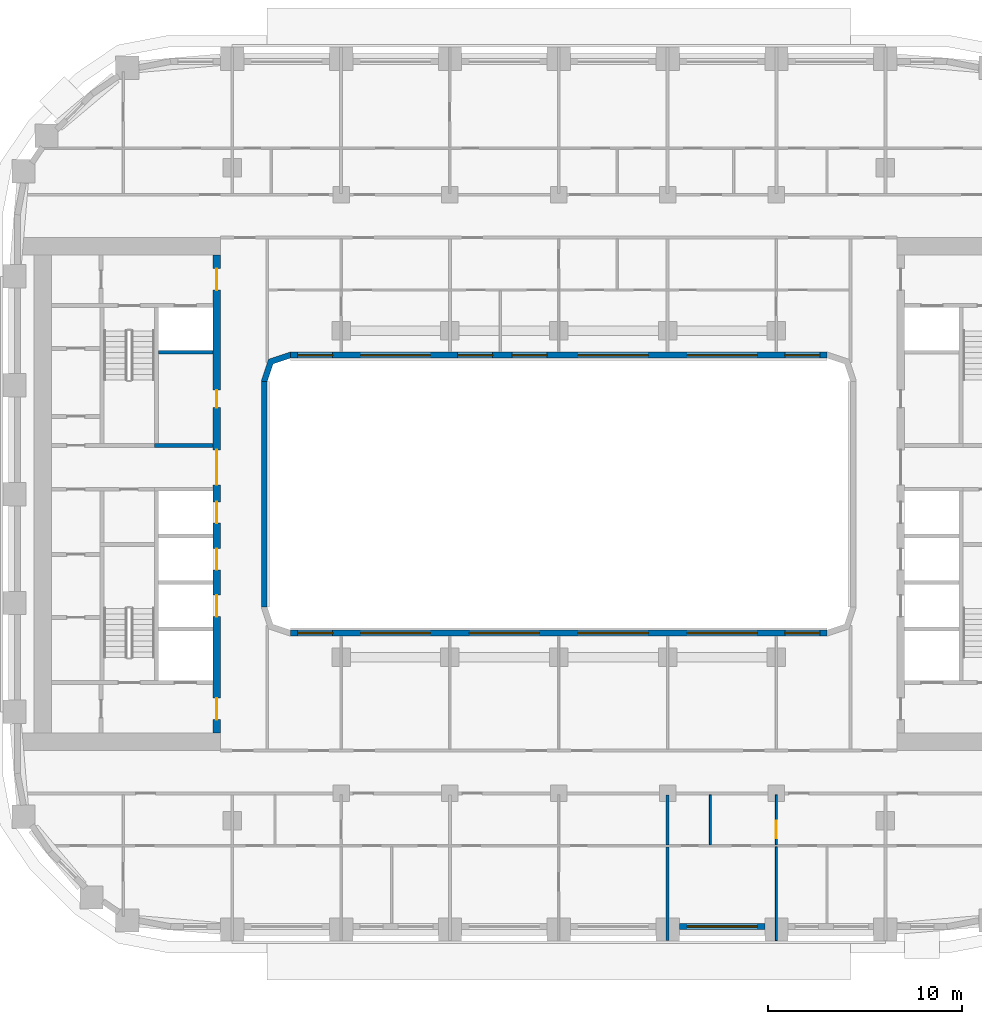
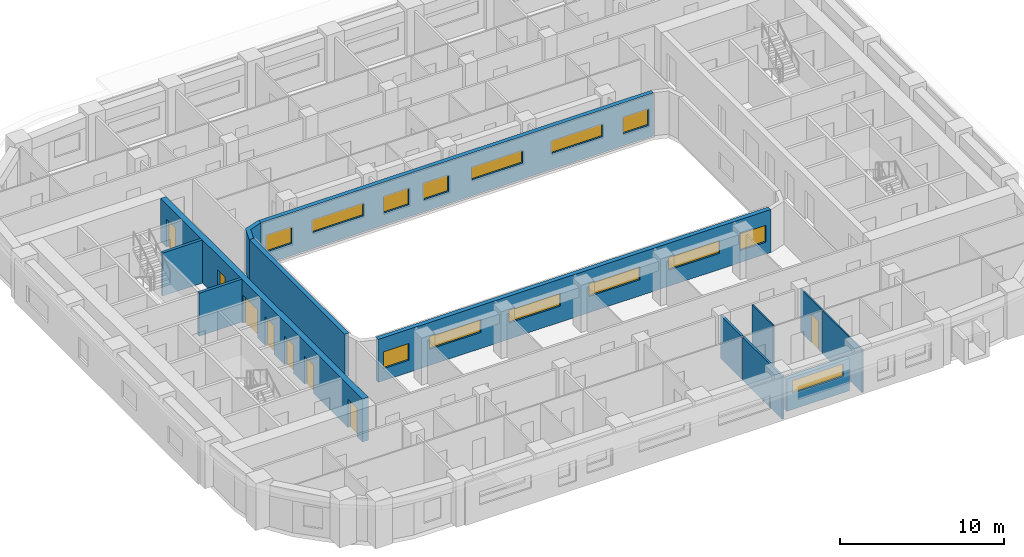
# One storey, part 5 of 22: 14 windows, 13 walls, 8 doors, 22 openings.
"""IFC4 building model written with IfcOpenShell, lengths in metres."""

from ifc_helpers import new_model, si_unit, direction, frame, frame_2d, origin, place, context, subcontext, project, spatial, polyline, rectangle, outline, extrude, material, layer, layer_set, type_object, element, fill, save


model = new_model("IFC4")

# Units and contexts
model_context = context("Model", 3, precision=1e-05, world=origin(), true_north=direction((0.0, 1.0)))
body_context = subcontext(model_context, "Body", "Model", "MODEL_VIEW")
ifc_project = project(units=[si_unit("LENGTHUNIT", "METRE"), si_unit("AREAUNIT", "SQUARE_METRE"), si_unit("VOLUMEUNIT", "CUBIC_METRE"), si_unit("PLANEANGLEUNIT", "RADIAN"), si_unit("MASSUNIT", "GRAM", prefix="KILO")], contexts=[model_context])

# Site, building, storey
site_placement = place(None, origin())
site = spatial("IfcSite", under=ifc_project, at=site_placement, CompositionType="ELEMENT")
building_placement = place(site_placement, origin())
building = spatial("IfcBuilding", under=site, at=building_placement, Name="Kiln Ring Residences", CompositionType="ELEMENT")
storey_placement = place(building_placement, frame((0.0, 0.0, 111.300048828125)))
storey = spatial("IfcBuildingStorey", under=building, at=storey_placement, Name="L28", CompositionType="ELEMENT", Elevation=111.300048828125)

# Walls
ifc_material_1 = material(Name="Gypsum shaft wall system")
ifc_layer_1 = layer(ifc_material_1, 0.199951171875)
ifc_layer_set_1 = layer_set([ifc_layer_1], Name="CORE-SHAFT-WALL-200")
wall_type_1 = type_object("IfcWallType", Name="CORE-SHAFT-WALL-200", PredefinedType="PARTITIONING", material=ifc_layer_set_1)
wall_1_placement = place(storey_placement, frame((-17.800048828125, 2.5, 0.0), z_axis=(0.0, 0.0, 1.0), x_axis=(-1.0, 0.0, 0.0)))
element("IfcWall", 1, at=wall_1_placement, inside=storey, type_object=wall_type_1, Name="Core partition west L28 13", PredefinedType="PARTITIONING", context=body_context, shape_type="SweptSolid", body=[
    extrude(rectangle(XDim=3.0, YDim=0.199951171875, at=frame_2d((1.5, 0.0))), origin(), (0.0, 0.0, 1.0), 3.199951171875),
])
wall_2_placement = place(storey_placement, frame((-17.800048828125, 7.300048828125, 0.0), z_axis=(0.0, 0.0, 1.0), x_axis=(-1.0, 0.0, 0.0)))
element("IfcWall", 2, at=wall_2_placement, inside=storey, type_object=wall_type_1, Name="Core partition west L28 14", PredefinedType="PARTITIONING", context=body_context, shape_type="SweptSolid", body=[
    extrude(rectangle(XDim=2.800048828125, YDim=0.199951171875, at=frame_2d((1.39990234375, 0.0))), origin(), (0.0, 0.0, 1.0), 3.199951171875),
])

# Wall, openings, doors
ifc_material_2 = material(Name="Concrete C60/75", Category="concrete")
ifc_layer_2 = layer(ifc_material_2, 0.39990234375)
ifc_layer_set_2 = layer_set([ifc_layer_2], Name="CORE-WALL-RC400")
wall_type_2 = type_object("IfcWallType", Name="CORE-WALL-RC400", PredefinedType="SHEAR", material=ifc_layer_set_2)
wall_3_placement = place(storey_placement, frame((-17.60009765625, -12.300048828125, 0.0), z_axis=(0.0, 0.0, 1.0), x_axis=(0.0, 1.0, 0.0)))
wall_3 = element("IfcWall", 3, at=wall_3_placement, inside=storey, type_object=wall_type_2, Name="Core wall west L28 6", PredefinedType="SHEAR", context=body_context, shape_type="SweptSolid", body=[
    extrude(rectangle(XDim=24.60009765625, YDim=0.39990234375, at=frame_2d((12.300048828125, 0.0))), origin(), (0.0, 0.0, 1.0), 3.199951171875),
])
opening_1_placement = place(wall_3_placement, frame((6.0, 0.0, 0.0)))
opening_1 = element("IfcOpeningElement", 4, at=opening_1_placement, cuts=wall_3, Name="Opening L28-CW02", PredefinedType="OPENING", context=body_context, shape_type="SweptSolid", body=[
    extrude(rectangle(XDim=1.10009765625, YDim=2.10009765625, at=frame_2d((0.550048828125, 1.050048828125))), frame((0.0, 0.2099609375, 0.0), z_axis=(0.0, -1.0, 0.0), x_axis=(1.0, 0.0, 0.0)), (0.0, 0.0, 1.0), 0.419921875),
])
opening_2_placement = place(wall_3_placement, frame((8.39990234375, 0.0, 0.0)))
opening_2 = element("IfcOpeningElement", 5, at=opening_2_placement, cuts=wall_3, Name="Opening L28-CW03", PredefinedType="OPENING", context=body_context, shape_type="SweptSolid", body=[
    extrude(rectangle(XDim=1.10009765625, YDim=2.10009765625, at=frame_2d((0.550048828125, 1.050048828125))), frame((0.0, 0.2099609375, 0.0), z_axis=(0.0, -1.0, 0.0), x_axis=(1.0, 0.0, 0.0)), (0.0, 0.0, 1.0), 0.419921875),
])
opening_3_placement = place(wall_3_placement, frame((10.800048828125, 0.0, 0.0)))
opening_3 = element("IfcOpeningElement", 6, at=opening_3_placement, cuts=wall_3, Name="Opening L28-CW04", PredefinedType="OPENING", context=body_context, shape_type="SweptSolid", body=[
    extrude(rectangle(XDim=1.10009765625, YDim=2.10009765625, at=frame_2d((0.550048828125, 1.050048828125))), frame((0.0, 0.2099609375, 0.0), z_axis=(0.0, -1.0, 0.0), x_axis=(1.0, 0.0, 0.0)), (0.0, 0.0, 1.0), 0.419921875),
])
opening_4_placement = place(wall_3_placement, frame((16.75, 0.0, 0.0)))
opening_4 = element("IfcOpeningElement", 7, at=opening_4_placement, cuts=wall_3, Name="Opening L28-CW05", PredefinedType="OPENING", context=body_context, shape_type="SweptSolid", body=[
    extrude(rectangle(XDim=0.89990234375, YDim=2.10009765625, at=frame_2d((0.449951171875, 1.050048828125))), frame((0.0, 0.2099609375, 0.0), z_axis=(0.0, -1.0, 0.0), x_axis=(1.0, 0.0, 0.0)), (0.0, 0.0, 1.0), 0.419921875),
])
opening_5_placement = place(wall_3_placement, frame((22.800048828125, 0.0, 0.0)))
opening_5 = element("IfcOpeningElement", 8, at=opening_5_placement, cuts=wall_3, Name="Opening L28-CW07", PredefinedType="OPENING", context=body_context, shape_type="SweptSolid", body=[
    extrude(rectangle(XDim=1.10009765625, YDim=2.10009765625, at=frame_2d((0.550048828125, 1.050048828125))), frame((0.0, 0.2099609375, 0.0), z_axis=(0.0, -1.0, 0.0), x_axis=(1.0, 0.0, 0.0)), (0.0, 0.0, 1.0), 0.419921875),
])
opening_6_placement = place(wall_3_placement, frame((0.699951171875, 0.0, 0.0)))
opening_6 = element("IfcOpeningElement", 9, at=opening_6_placement, cuts=wall_3, Name="Opening L28-CW08", PredefinedType="OPENING", context=body_context, shape_type="SweptSolid", body=[
    extrude(rectangle(XDim=1.10009765625, YDim=2.10009765625, at=frame_2d((0.550048828125, 1.050048828125))), frame((0.0, 0.2099609375, 0.0), z_axis=(0.0, -1.0, 0.0), x_axis=(1.0, 0.0, 0.0)), (0.0, 0.0, 1.0), 0.419921875),
])
opening_7_placement = place(wall_3_placement, frame((12.77490234375, 0.0, 0.0)))
opening_7 = element("IfcOpeningElement", 10, at=opening_7_placement, cuts=wall_3, Name="Opening L28-CW13", PredefinedType="OPENING", context=body_context, shape_type="SweptSolid", body=[
    extrude(rectangle(XDim=1.800048828125, YDim=2.10009765625, at=frame_2d((0.89990234375, 1.050048828125))), frame((0.0, 0.2099609375, 0.0), z_axis=(0.0, -1.0, 0.0), x_axis=(1.0, 0.0, 0.0)), (0.0, 0.0, 1.0), 0.419921875),
])
ifc_material_3 = material(Name="Steel door leaf", Category="steel")
door_type_1 = type_object("IfcDoorType", Name="CORE-DOOR-LD", OperationType="DOUBLE_DOOR_SLIDING", PredefinedType="DOOR", material=ifc_material_3)
door_1_placement = place(opening_1_placement, origin())
door_1 = element("IfcDoor", 11, at=door_1_placement, inside=storey, type_object=door_type_1, Name="LD W-L1 L28-CW02", OperationType="DOUBLE_DOOR_SLIDING", OverallHeight=2.10009765625, OverallWidth=1.10009765625, PredefinedType="DOOR", context=body_context, shape_type="SweptSolid", body=[
    extrude(rectangle(XDim=1.10009765625, YDim=2.10009765625, at=frame_2d((0.550048828125, 1.050048828125))), frame((0.0, 0.02490234375, 0.0), z_axis=(0.0, -1.0, 0.0), x_axis=(1.0, 0.0, 0.0)), (0.0, 0.0, 1.0), 0.050048828125),
])
fill(opening_1, door_1)
door_2_placement = place(opening_2_placement, origin())
door_2 = element("IfcDoor", 12, at=door_2_placement, inside=storey, type_object=door_type_1, Name="LD W-L2 L28-CW03", OperationType="DOUBLE_DOOR_SLIDING", OverallHeight=2.10009765625, OverallWidth=1.10009765625, PredefinedType="DOOR", context=body_context, shape_type="SweptSolid", body=[
    extrude(rectangle(XDim=1.10009765625, YDim=2.10009765625, at=frame_2d((0.550048828125, 1.050048828125))), frame((0.0, 0.02490234375, 0.0), z_axis=(0.0, -1.0, 0.0), x_axis=(1.0, 0.0, 0.0)), (0.0, 0.0, 1.0), 0.050048828125),
])
fill(opening_2, door_2)
door_3_placement = place(opening_3_placement, origin())
door_3 = element("IfcDoor", 13, at=door_3_placement, inside=storey, type_object=door_type_1, Name="LD W-L3 L28-CW04", OperationType="DOUBLE_DOOR_SLIDING", OverallHeight=2.10009765625, OverallWidth=1.10009765625, PredefinedType="DOOR", context=body_context, shape_type="SweptSolid", body=[
    extrude(rectangle(XDim=1.10009765625, YDim=2.10009765625, at=frame_2d((0.550048828125, 1.050048828125))), frame((0.0, 0.02490234375, 0.0), z_axis=(0.0, -1.0, 0.0), x_axis=(1.0, 0.0, 0.0)), (0.0, 0.0, 1.0), 0.050048828125),
])
fill(opening_3, door_3)
ifc_material_4 = material(Name="Steel door leaf", Category="steel")
door_type_2 = type_object("IfcDoorType", Name="CORE-DOOR-LOBBY", OperationType="SINGLE_SWING_LEFT", PredefinedType="DOOR", material=ifc_material_4)
door_4_placement = place(opening_5_placement, origin())
door_4 = element("IfcDoor", 14, at=door_4_placement, inside=storey, type_object=door_type_2, Name="FFL L28-CW07", OperationType="SINGLE_SWING_RIGHT", OverallHeight=2.10009765625, OverallWidth=1.10009765625, PredefinedType="DOOR", context=body_context, shape_type="SweptSolid", body=[
    extrude(rectangle(XDim=1.10009765625, YDim=2.10009765625, at=frame_2d((0.550048828125, 1.050048828125))), frame((0.0, 0.02490234375, 0.0), z_axis=(0.0, -1.0, 0.0), x_axis=(1.0, 0.0, 0.0)), (0.0, 0.0, 1.0), 0.050048828125),
])
fill(opening_5, door_4)
door_5_placement = place(opening_6_placement, origin())
door_5 = element("IfcDoor", 15, at=door_5_placement, inside=storey, type_object=door_type_2, Name="SVL L28-CW08", OperationType="SINGLE_SWING_LEFT", OverallHeight=2.10009765625, OverallWidth=1.10009765625, PredefinedType="DOOR", context=body_context, shape_type="SweptSolid", body=[
    extrude(rectangle(XDim=1.10009765625, YDim=2.10009765625, at=frame_2d((0.550048828125, 1.050048828125))), frame((0.0, 0.02490234375, 0.0), z_axis=(0.0, -1.0, 0.0), x_axis=(1.0, 0.0, 0.0)), (0.0, 0.0, 1.0), 0.050048828125),
])
fill(opening_6, door_5)
ifc_material_5 = material(Name="Steel door leaf", Category="steel")
door_type_3 = type_object("IfcDoorType", Name="CORE-DOOR-PASS", OperationType="DOUBLE_DOOR_SINGLE_SWING", PredefinedType="DOOR", material=ifc_material_5)
door_6_placement = place(opening_7_placement, origin())
door_6 = element("IfcDoor", 16, at=door_6_placement, inside=storey, type_object=door_type_3, Name="Core passage L28-CW13", OperationType="DOUBLE_DOOR_SINGLE_SWING", OverallHeight=2.10009765625, OverallWidth=1.800048828125, PredefinedType="DOOR", context=body_context, shape_type="SweptSolid", body=[
    extrude(rectangle(XDim=1.800048828125, YDim=2.10009765625, at=frame_2d((0.89990234375, 1.050048828125))), frame((0.0, 0.02490234375, 0.0), z_axis=(0.0, -1.0, 0.0), x_axis=(1.0, 0.0, 0.0)), (0.0, 0.0, 1.0), 0.050048828125),
])
fill(opening_7, door_6)
ifc_material_6 = material(Name="Steel door leaf", Category="steel")
door_type_4 = type_object("IfcDoorType", Name="CORE-DOOR-ROOM", OperationType="SINGLE_SWING_LEFT", PredefinedType="DOOR", material=ifc_material_6)
door_7_placement = place(opening_4_placement, origin())
door_7 = element("IfcDoor", 17, at=door_7_placement, inside=storey, type_object=door_type_4, Name="Housekeeping store L28-CW05", OperationType="SINGLE_SWING_LEFT", OverallHeight=2.10009765625, OverallWidth=0.89990234375, PredefinedType="DOOR", context=body_context, shape_type="SweptSolid", body=[
    extrude(rectangle(XDim=0.89990234375, YDim=2.10009765625, at=frame_2d((0.449951171875, 1.050048828125))), frame((0.0, 0.02490234375, 0.0), z_axis=(0.0, -1.0, 0.0), x_axis=(1.0, 0.0, 0.0)), (0.0, 0.0, 1.0), 0.050048828125),
])
fill(opening_4, door_7)

# Wall, opening, window
ifc_material_7 = material(Name="Brick masonry, dark clay brick", Category="masonry")
ifc_layer_3 = layer(ifc_material_7, 0.300048828125)
ifc_layer_set_3 = layer_set([ifc_layer_3], Name="EW-300 BRICK WALL")
wall_type_3 = type_object("IfcWallType", Name="EW-300 BRICK WALL", PredefinedType="SOLIDWALL", material=ifc_layer_set_3)
wall_4_placement = place(storey_placement, frame((6.199951171875, -22.25, 0.0), z_axis=(0.0, 0.0, 1.0), x_axis=(1.0, 0.0, 0.0)))
wall_4 = element("IfcWall", 18, at=wall_4_placement, inside=storey, type_object=wall_type_3, Name="Facade wall L28 9", PredefinedType="SOLIDWALL", context=body_context, shape_type="SweptSolid", body=[
    extrude(rectangle(XDim=4.400146484375, YDim=0.300048828125, at=frame_2d((2.2001953125, 0.0))), origin(), (0.0, 0.0, 1.0), 2.39990234375),
])
opening_8_placement = place(wall_4_placement, frame((0.39990234375, 0.0, 1.199951171875)))
opening_8 = element("IfcOpeningElement", 19, at=opening_8_placement, cuts=wall_4, Name="Opening W4", PredefinedType="OPENING", context=body_context, shape_type="SweptSolid", body=[
    extrude(rectangle(XDim=3.60009765625, YDim=0.949951171875, at=frame_2d((1.800048828125, 0.47509765625))), frame((0.0, 0.159912109375, 0.0), z_axis=(0.0, -1.0, 0.0), x_axis=(1.0, 0.0, 0.0)), (0.0, 0.0, 1.0), 0.320068359375),
])
ifc_material_8 = material(Name="Aluminium frame with double glazing", Category="aluminium")
window_type_1 = type_object("IfcWindowType", Name="WINDOW 3600 x 950", PartitioningType="SINGLE_PANEL", PredefinedType="WINDOW", material=ifc_material_8)
window_1_placement = place(opening_8_placement, origin())
window_1 = element("IfcWindow", 20, at=window_1_placement, inside=storey, type_object=window_type_1, Name="Window L28 8", OverallHeight=0.949951171875, OverallWidth=3.60009765625, PartitioningType="SINGLE_PANEL", PredefinedType="WINDOW", context=body_context, shape_type="SweptSolid", body=[
    extrude(rectangle(XDim=3.60009765625, YDim=0.949951171875, at=frame_2d((1.800048828125, 0.47509765625))), frame((0.0, 0.030029296875, 0.0), z_axis=(0.0, -1.0, 0.0), x_axis=(1.0, 0.0, 0.0)), (0.0, 0.0, 1.0), 0.06005859375),
])
fill(opening_8, window_1)

# Wall
wall_5_placement = place(storey_placement, frame((-15.14990234375, -5.800048828125, 0.0), z_axis=(0.0, 0.0, 1.0), x_axis=(0.0, 1.0, 0.0)))
element("IfcWall", 21, at=wall_5_placement, inside=storey, type_object=wall_type_3, Name="Facade wall L28 49", PredefinedType="SOLIDWALL", context=body_context, shape_type="SweptSolid", body=[
    extrude(rectangle(XDim=11.60009765625, YDim=0.300048828125, at=frame_2d((5.800048828125, 0.0))), origin(), (0.0, 0.0, 1.0), 3.199951171875),
])

# Wall, openings, windows
wall_6_placement = place(storey_placement, frame((-13.800048828125, 7.14990234375, 0.0), z_axis=(0.0, 0.0, 1.0), x_axis=(1.0, 0.0, 0.0)))
wall_6 = element("IfcWall", 22, at=wall_6_placement, inside=storey, type_object=wall_type_3, Name="Facade wall L28 50", PredefinedType="SOLIDWALL", context=body_context, shape_type="SweptSolid", body=[
    extrude(rectangle(XDim=27.60009765625, YDim=0.300048828125, at=frame_2d((13.800048828125, 0.0))), origin(), (0.0, 0.0, 1.0), 3.199951171875),
])
opening_9_placement = place(wall_6_placement, frame((0.362548828125, 0.0, 0.89990234375)))
opening_9 = element("IfcOpeningElement", 23, at=opening_9_placement, cuts=wall_6, Name="Opening W2", PredefinedType="OPENING", context=body_context, shape_type="SweptSolid", body=[
    extrude(rectangle(XDim=1.800048828125, YDim=1.25, at=frame_2d((0.89990234375, 0.625))), frame((0.0, 0.159912109375, 0.0), z_axis=(0.0, -1.0, 0.0), x_axis=(1.0, 0.0, 0.0)), (0.0, 0.0, 1.0), 0.320068359375),
])
opening_10_placement = place(wall_6_placement, frame((3.60009765625, 0.0, 1.199951171875)))
opening_10 = element("IfcOpeningElement", 24, at=opening_10_placement, cuts=wall_6, Name="Opening W4", PredefinedType="OPENING", context=body_context, shape_type="SweptSolid", body=[
    extrude(rectangle(XDim=3.60009765625, YDim=0.949951171875, at=frame_2d((1.800048828125, 0.47509765625))), frame((0.0, 0.159912109375, 0.0), z_axis=(0.0, -1.0, 0.0), x_axis=(1.0, 0.0, 0.0)), (0.0, 0.0, 1.0), 0.320068359375),
])
opening_11_placement = place(wall_6_placement, frame((8.60009765625, 0.0, 0.89990234375)))
opening_11 = element("IfcOpeningElement", 25, at=opening_11_placement, cuts=wall_6, Name="Opening W2", PredefinedType="OPENING", context=body_context, shape_type="SweptSolid", body=[
    extrude(rectangle(XDim=1.800048828125, YDim=1.25, at=frame_2d((0.89990234375, 0.625))), frame((0.0, 0.159912109375, 0.0), z_axis=(0.0, -1.0, 0.0), x_axis=(1.0, 0.0, 0.0)), (0.0, 0.0, 1.0), 0.320068359375),
])
opening_12_placement = place(wall_6_placement, frame((11.39990234375, 0.0, 0.89990234375)))
opening_12 = element("IfcOpeningElement", 26, at=opening_12_placement, cuts=wall_6, Name="Opening W2", PredefinedType="OPENING", context=body_context, shape_type="SweptSolid", body=[
    extrude(rectangle(XDim=1.800048828125, YDim=1.25, at=frame_2d((0.89990234375, 0.625))), frame((0.0, 0.159912109375, 0.0), z_axis=(0.0, -1.0, 0.0), x_axis=(1.0, 0.0, 0.0)), (0.0, 0.0, 1.0), 0.320068359375),
])
opening_13_placement = place(wall_6_placement, frame((14.800048828125, 0.0, 1.199951171875)))
opening_13 = element("IfcOpeningElement", 27, at=opening_13_placement, cuts=wall_6, Name="Opening W4", PredefinedType="OPENING", context=body_context, shape_type="SweptSolid", body=[
    extrude(rectangle(XDim=3.60009765625, YDim=0.949951171875, at=frame_2d((1.800048828125, 0.47509765625))), frame((0.0, 0.159912109375, 0.0), z_axis=(0.0, -1.0, 0.0), x_axis=(1.0, 0.0, 0.0)), (0.0, 0.0, 1.0), 0.320068359375),
])
opening_14_placement = place(wall_6_placement, frame((20.39990234375, 0.0, 1.199951171875)))
opening_14 = element("IfcOpeningElement", 28, at=opening_14_placement, cuts=wall_6, Name="Opening W4", PredefinedType="OPENING", context=body_context, shape_type="SweptSolid", body=[
    extrude(rectangle(XDim=3.60009765625, YDim=0.949951171875, at=frame_2d((1.800048828125, 0.47509765625))), frame((0.0, 0.159912109375, 0.0), z_axis=(0.0, -1.0, 0.0), x_axis=(1.0, 0.0, 0.0)), (0.0, 0.0, 1.0), 0.320068359375),
])
opening_15_placement = place(wall_6_placement, frame((25.4375, 0.0, 0.89990234375)))
opening_15 = element("IfcOpeningElement", 29, at=opening_15_placement, cuts=wall_6, Name="Opening W2", PredefinedType="OPENING", context=body_context, shape_type="SweptSolid", body=[
    extrude(rectangle(XDim=1.800048828125, YDim=1.25, at=frame_2d((0.89990234375, 0.625))), frame((0.0, 0.159912109375, 0.0), z_axis=(0.0, -1.0, 0.0), x_axis=(1.0, 0.0, 0.0)), (0.0, 0.0, 1.0), 0.320068359375),
])
ifc_material_9 = material(Name="Aluminium frame with double glazing", Category="aluminium")
window_type_2 = type_object("IfcWindowType", Name="WINDOW 1800 x 1250", PartitioningType="SINGLE_PANEL", PredefinedType="WINDOW", material=ifc_material_9)
window_2_placement = place(opening_9_placement, origin())
window_2 = element("IfcWindow", 30, at=window_2_placement, inside=storey, type_object=window_type_2, Name="Window L28 23", OverallHeight=1.25, OverallWidth=1.800048828125, PartitioningType="SINGLE_PANEL", PredefinedType="WINDOW", context=body_context, shape_type="SweptSolid", body=[
    extrude(rectangle(XDim=1.800048828125, YDim=1.25, at=frame_2d((0.89990234375, 0.625))), frame((0.0, 0.030029296875, 0.0), z_axis=(0.0, -1.0, 0.0), x_axis=(1.0, 0.0, 0.0)), (0.0, 0.0, 1.0), 0.06005859375),
])
fill(opening_9, window_2)
window_3_placement = place(opening_11_placement, origin())
window_3 = element("IfcWindow", 31, at=window_3_placement, inside=storey, type_object=window_type_2, Name="Window L28 25", OverallHeight=1.25, OverallWidth=1.800048828125, PartitioningType="SINGLE_PANEL", PredefinedType="WINDOW", context=body_context, shape_type="SweptSolid", body=[
    extrude(rectangle(XDim=1.800048828125, YDim=1.25, at=frame_2d((0.89990234375, 0.625))), frame((0.0, 0.030029296875, 0.0), z_axis=(0.0, -1.0, 0.0), x_axis=(1.0, 0.0, 0.0)), (0.0, 0.0, 1.0), 0.06005859375),
])
fill(opening_11, window_3)
window_4_placement = place(opening_12_placement, origin())
window_4 = element("IfcWindow", 32, at=window_4_placement, inside=storey, type_object=window_type_2, Name="Window L28 26", OverallHeight=1.25, OverallWidth=1.800048828125, PartitioningType="SINGLE_PANEL", PredefinedType="WINDOW", context=body_context, shape_type="SweptSolid", body=[
    extrude(rectangle(XDim=1.800048828125, YDim=1.25, at=frame_2d((0.89990234375, 0.625))), frame((0.0, 0.030029296875, 0.0), z_axis=(0.0, -1.0, 0.0), x_axis=(1.0, 0.0, 0.0)), (0.0, 0.0, 1.0), 0.06005859375),
])
fill(opening_12, window_4)
window_5_placement = place(opening_15_placement, origin())
window_5 = element("IfcWindow", 33, at=window_5_placement, inside=storey, type_object=window_type_2, Name="Window L28 29", OverallHeight=1.25, OverallWidth=1.800048828125, PartitioningType="SINGLE_PANEL", PredefinedType="WINDOW", context=body_context, shape_type="SweptSolid", body=[
    extrude(rectangle(XDim=1.800048828125, YDim=1.25, at=frame_2d((0.89990234375, 0.625))), frame((0.0, 0.030029296875, 0.0), z_axis=(0.0, -1.0, 0.0), x_axis=(1.0, 0.0, 0.0)), (0.0, 0.0, 1.0), 0.06005859375),
])
fill(opening_15, window_5)
window_6_placement = place(opening_10_placement, origin())
window_6 = element("IfcWindow", 34, at=window_6_placement, inside=storey, type_object=window_type_1, Name="Window L28 24", OverallHeight=0.949951171875, OverallWidth=3.60009765625, PartitioningType="SINGLE_PANEL", PredefinedType="WINDOW", context=body_context, shape_type="SweptSolid", body=[
    extrude(rectangle(XDim=3.60009765625, YDim=0.949951171875, at=frame_2d((1.800048828125, 0.47509765625))), frame((0.0, 0.030029296875, 0.0), z_axis=(0.0, -1.0, 0.0), x_axis=(1.0, 0.0, 0.0)), (0.0, 0.0, 1.0), 0.06005859375),
])
fill(opening_10, window_6)
window_7_placement = place(opening_13_placement, origin())
window_7 = element("IfcWindow", 35, at=window_7_placement, inside=storey, type_object=window_type_1, Name="Window L28 27", OverallHeight=0.949951171875, OverallWidth=3.60009765625, PartitioningType="SINGLE_PANEL", PredefinedType="WINDOW", context=body_context, shape_type="SweptSolid", body=[
    extrude(rectangle(XDim=3.60009765625, YDim=0.949951171875, at=frame_2d((1.800048828125, 0.47509765625))), frame((0.0, 0.030029296875, 0.0), z_axis=(0.0, -1.0, 0.0), x_axis=(1.0, 0.0, 0.0)), (0.0, 0.0, 1.0), 0.06005859375),
])
fill(opening_13, window_7)
window_8_placement = place(opening_14_placement, origin())
window_8 = element("IfcWindow", 36, at=window_8_placement, inside=storey, type_object=window_type_1, Name="Window L28 28", OverallHeight=0.949951171875, OverallWidth=3.60009765625, PartitioningType="SINGLE_PANEL", PredefinedType="WINDOW", context=body_context, shape_type="SweptSolid", body=[
    extrude(rectangle(XDim=3.60009765625, YDim=0.949951171875, at=frame_2d((1.800048828125, 0.47509765625))), frame((0.0, 0.030029296875, 0.0), z_axis=(0.0, -1.0, 0.0), x_axis=(1.0, 0.0, 0.0)), (0.0, 0.0, 1.0), 0.06005859375),
])
fill(opening_14, window_8)

wall_7_placement = place(storey_placement, frame((13.800048828125, -7.14990234375, 0.0), z_axis=(0.0, 0.0, 1.0), x_axis=(-1.0, 0.0, 0.0)))
wall_7 = element("IfcWall", 37, at=wall_7_placement, inside=storey, type_object=wall_type_3, Name="Facade wall L28 52", PredefinedType="SOLIDWALL", context=body_context, shape_type="SweptSolid", body=[
    extrude(rectangle(XDim=27.60009765625, YDim=0.300048828125, at=frame_2d((13.800048828125, 0.0))), origin(), (0.0, 0.0, 1.0), 3.199951171875),
])
opening_16_placement = place(wall_7_placement, frame((0.362548828125, 0.0, 0.89990234375)))
opening_16 = element("IfcOpeningElement", 38, at=opening_16_placement, cuts=wall_7, Name="Opening W2", PredefinedType="OPENING", context=body_context, shape_type="SweptSolid", body=[
    extrude(rectangle(XDim=1.800048828125, YDim=1.25, at=frame_2d((0.89990234375, 0.625))), frame((0.0, 0.159912109375, 0.0), z_axis=(0.0, -1.0, 0.0), x_axis=(1.0, 0.0, 0.0)), (0.0, 0.0, 1.0), 0.320068359375),
])
opening_17_placement = place(wall_7_placement, frame((3.60009765625, 0.0, 1.199951171875)))
opening_17 = element("IfcOpeningElement", 39, at=opening_17_placement, cuts=wall_7, Name="Opening W4", PredefinedType="OPENING", context=body_context, shape_type="SweptSolid", body=[
    extrude(rectangle(XDim=3.60009765625, YDim=0.949951171875, at=frame_2d((1.800048828125, 0.47509765625))), frame((0.0, 0.159912109375, 0.0), z_axis=(0.0, -1.0, 0.0), x_axis=(1.0, 0.0, 0.0)), (0.0, 0.0, 1.0), 0.320068359375),
])
opening_18_placement = place(wall_7_placement, frame((9.199951171875, 0.0, 1.199951171875)))
opening_18 = element("IfcOpeningElement", 40, at=opening_18_placement, cuts=wall_7, Name="Opening W4", PredefinedType="OPENING", context=body_context, shape_type="SweptSolid", body=[
    extrude(rectangle(XDim=3.60009765625, YDim=0.949951171875, at=frame_2d((1.800048828125, 0.47509765625))), frame((0.0, 0.159912109375, 0.0), z_axis=(0.0, -1.0, 0.0), x_axis=(1.0, 0.0, 0.0)), (0.0, 0.0, 1.0), 0.320068359375),
])
opening_19_placement = place(wall_7_placement, frame((14.800048828125, 0.0, 1.199951171875)))
opening_19 = element("IfcOpeningElement", 41, at=opening_19_placement, cuts=wall_7, Name="Opening W4", PredefinedType="OPENING", context=body_context, shape_type="SweptSolid", body=[
    extrude(rectangle(XDim=3.60009765625, YDim=0.949951171875, at=frame_2d((1.800048828125, 0.47509765625))), frame((0.0, 0.159912109375, 0.0), z_axis=(0.0, -1.0, 0.0), x_axis=(1.0, 0.0, 0.0)), (0.0, 0.0, 1.0), 0.320068359375),
])
opening_20_placement = place(wall_7_placement, frame((20.39990234375, 0.0, 1.199951171875)))
opening_20 = element("IfcOpeningElement", 42, at=opening_20_placement, cuts=wall_7, Name="Opening W4", PredefinedType="OPENING", context=body_context, shape_type="SweptSolid", body=[
    extrude(rectangle(XDim=3.60009765625, YDim=0.949951171875, at=frame_2d((1.800048828125, 0.47509765625))), frame((0.0, 0.159912109375, 0.0), z_axis=(0.0, -1.0, 0.0), x_axis=(1.0, 0.0, 0.0)), (0.0, 0.0, 1.0), 0.320068359375),
])
opening_21_placement = place(wall_7_placement, frame((25.4375, 0.0, 0.89990234375)))
opening_21 = element("IfcOpeningElement", 43, at=opening_21_placement, cuts=wall_7, Name="Opening W2", PredefinedType="OPENING", context=body_context, shape_type="SweptSolid", body=[
    extrude(rectangle(XDim=1.800048828125, YDim=1.25, at=frame_2d((0.89990234375, 0.625))), frame((0.0, 0.159912109375, 0.0), z_axis=(0.0, -1.0, 0.0), x_axis=(1.0, 0.0, 0.0)), (0.0, 0.0, 1.0), 0.320068359375),
])
window_9_placement = place(opening_16_placement, origin())
window_9 = element("IfcWindow", 44, at=window_9_placement, inside=storey, type_object=window_type_2, Name="Window L28 30", OverallHeight=1.25, OverallWidth=1.800048828125, PartitioningType="SINGLE_PANEL", PredefinedType="WINDOW", context=body_context, shape_type="SweptSolid", body=[
    extrude(rectangle(XDim=1.800048828125, YDim=1.25, at=frame_2d((0.89990234375, 0.625))), frame((0.0, 0.030029296875, 0.0), z_axis=(0.0, -1.0, 0.0), x_axis=(1.0, 0.0, 0.0)), (0.0, 0.0, 1.0), 0.06005859375),
])
fill(opening_16, window_9)
window_10_placement = place(opening_21_placement, origin())
window_10 = element("IfcWindow", 45, at=window_10_placement, inside=storey, type_object=window_type_2, Name="Window L28 35", OverallHeight=1.25, OverallWidth=1.800048828125, PartitioningType="SINGLE_PANEL", PredefinedType="WINDOW", context=body_context, shape_type="SweptSolid", body=[
    extrude(rectangle(XDim=1.800048828125, YDim=1.25, at=frame_2d((0.89990234375, 0.625))), frame((0.0, 0.030029296875, 0.0), z_axis=(0.0, -1.0, 0.0), x_axis=(1.0, 0.0, 0.0)), (0.0, 0.0, 1.0), 0.06005859375),
])
fill(opening_21, window_10)
window_11_placement = place(opening_17_placement, origin())
window_11 = element("IfcWindow", 46, at=window_11_placement, inside=storey, type_object=window_type_1, Name="Window L28 31", OverallHeight=0.949951171875, OverallWidth=3.60009765625, PartitioningType="SINGLE_PANEL", PredefinedType="WINDOW", context=body_context, shape_type="SweptSolid", body=[
    extrude(rectangle(XDim=3.60009765625, YDim=0.949951171875, at=frame_2d((1.800048828125, 0.47509765625))), frame((0.0, 0.030029296875, 0.0), z_axis=(0.0, -1.0, 0.0), x_axis=(1.0, 0.0, 0.0)), (0.0, 0.0, 1.0), 0.06005859375),
])
fill(opening_17, window_11)
window_12_placement = place(opening_18_placement, origin())
window_12 = element("IfcWindow", 47, at=window_12_placement, inside=storey, type_object=window_type_1, Name="Window L28 32", OverallHeight=0.949951171875, OverallWidth=3.60009765625, PartitioningType="SINGLE_PANEL", PredefinedType="WINDOW", context=body_context, shape_type="SweptSolid", body=[
    extrude(rectangle(XDim=3.60009765625, YDim=0.949951171875, at=frame_2d((1.800048828125, 0.47509765625))), frame((0.0, 0.030029296875, 0.0), z_axis=(0.0, -1.0, 0.0), x_axis=(1.0, 0.0, 0.0)), (0.0, 0.0, 1.0), 0.06005859375),
])
fill(opening_18, window_12)
window_13_placement = place(opening_19_placement, origin())
window_13 = element("IfcWindow", 48, at=window_13_placement, inside=storey, type_object=window_type_1, Name="Window L28 33", OverallHeight=0.949951171875, OverallWidth=3.60009765625, PartitioningType="SINGLE_PANEL", PredefinedType="WINDOW", context=body_context, shape_type="SweptSolid", body=[
    extrude(rectangle(XDim=3.60009765625, YDim=0.949951171875, at=frame_2d((1.800048828125, 0.47509765625))), frame((0.0, 0.030029296875, 0.0), z_axis=(0.0, -1.0, 0.0), x_axis=(1.0, 0.0, 0.0)), (0.0, 0.0, 1.0), 0.06005859375),
])
fill(opening_19, window_13)
window_14_placement = place(opening_20_placement, origin())
window_14 = element("IfcWindow", 49, at=window_14_placement, inside=storey, type_object=window_type_1, Name="Window L28 34", OverallHeight=0.949951171875, OverallWidth=3.60009765625, PartitioningType="SINGLE_PANEL", PredefinedType="WINDOW", context=body_context, shape_type="SweptSolid", body=[
    extrude(rectangle(XDim=3.60009765625, YDim=0.949951171875, at=frame_2d((1.800048828125, 0.47509765625))), frame((0.0, 0.030029296875, 0.0), z_axis=(0.0, -1.0, 0.0), x_axis=(1.0, 0.0, 0.0)), (0.0, 0.0, 1.0), 0.06005859375),
])
fill(opening_20, window_14)

# Walls
wall_8_placement = place(storey_placement, origin())
element("IfcWall", 50, at=wall_8_placement, inside=storey, type_object=wall_type_3, Name="Corner wall L28 1", PredefinedType="SOLIDWALL", context=body_context, shape_type="SweptSolid", body=[
    extrude(outline(polyline([(-13.8486328125, 7.300048828125), (-14.937255859375, 6.937255859375), (-15.300048828125, 5.8486328125), (-15.300048828125, 5.800048828125), (-15.0, 5.800048828125), (-14.699951171875, 6.699951171875), (-13.800048828125, 7.0), (-13.800048828125, 7.300048828125), (-13.8486328125, 7.300048828125)])), origin(), (0.0, 0.0, 1.0), 3.199951171875),
])
ifc_material_10 = material(Name="Gypsum board on steel studs", Category="steel")
ifc_layer_4 = layer(ifc_material_10, 0.10009765625)
ifc_layer_set_4 = layer_set([ifc_layer_4], Name="PARTITION-100")
wall_type_4 = type_object("IfcWallType", Name="PARTITION-100", PredefinedType="PARTITIONING", material=ifc_layer_set_4)
wall_9_placement = place(storey_placement, frame((7.800048828125, -18.050048828125, 0.0), z_axis=(0.0, 0.0, 1.0), x_axis=(0.0, 1.0, 0.0)))
element("IfcWall", 51, at=wall_9_placement, inside=storey, type_object=wall_type_4, Name="Partition 051", PredefinedType="PARTITIONING", context=body_context, shape_type="SweptSolid", body=[
    extrude(rectangle(XDim=2.574951171875, YDim=0.10009765625, at=frame_2d((1.28759765625, 0.0))), origin(), (0.0, 0.0, 1.0), 3.199951171875),
])
wall_10_placement = place(storey_placement, frame((11.199951171875, -22.97998046875, 0.0), z_axis=(0.0, 0.0, 1.0), x_axis=(0.0, 1.0, 0.0)))
element("IfcWall", 52, at=wall_10_placement, inside=storey, type_object=wall_type_4, Name="Partition 053", PredefinedType="PARTITIONING", context=body_context, shape_type="SweptSolid", body=[
    extrude(rectangle(XDim=4.830078125, YDim=0.10009765625, at=frame_2d((2.4150390625, 0.0))), origin(), (0.0, 0.0, 1.0), 3.199951171875),
])

# Wall, opening, door
wall_11_placement = place(storey_placement, frame((11.199951171875, -18.050048828125, 0.0), z_axis=(0.0, 0.0, 1.0), x_axis=(0.0, 1.0, 0.0)))
wall_11 = element("IfcWall", 53, at=wall_11_placement, inside=storey, type_object=wall_type_4, Name="Partition 054", PredefinedType="PARTITIONING", context=body_context, shape_type="SweptSolid", body=[
    extrude(rectangle(XDim=2.574951171875, YDim=0.10009765625, at=frame_2d((1.28759765625, 0.0))), origin(), (0.0, 0.0, 1.0), 3.199951171875),
])
opening_22_placement = place(wall_11_placement, frame((0.34912109375, 0.0, 0.0)))
opening_22 = element("IfcOpeningElement", 54, at=opening_22_placement, cuts=wall_11, Name="Opening L28-D064", PredefinedType="OPENING", context=body_context, shape_type="SweptSolid", body=[
    extrude(rectangle(XDim=0.89990234375, YDim=2.10009765625, at=frame_2d((0.449951171875, 1.050048828125))), frame((0.0, 0.06005859375, 0.0), z_axis=(0.0, -1.0, 0.0), x_axis=(1.0, 0.0, 0.0)), (0.0, 0.0, 1.0), 0.1201171875),
])
ifc_material_11 = material(Name="Timber door leaf", Category="wood")
door_type_5 = type_object("IfcDoorType", Name="FLAT-DOOR-900-PL", OperationType="SINGLE_SWING_LEFT", PredefinedType="DOOR", material=ifc_material_11)
door_8_placement = place(opening_22_placement, origin())
door_8 = element("IfcDoor", 55, at=door_8_placement, inside=storey, type_object=door_type_5, Name="Door L28-D064", OperationType="SINGLE_SWING_RIGHT", OverallHeight=2.10009765625, OverallWidth=0.89990234375, PredefinedType="DOOR", context=body_context, shape_type="SweptSolid", body=[
    extrude(rectangle(XDim=0.89990234375, YDim=2.10009765625, at=frame_2d((0.449951171875, 1.050048828125))), frame((0.0, 0.02490234375, 0.0), z_axis=(0.0, -1.0, 0.0), x_axis=(1.0, 0.0, 0.0)), (0.0, 0.0, 1.0), 0.050048828125),
])
fill(opening_22, door_8)

# Walls
ifc_material_12 = material(Name="Brick masonry partition", Category="masonry")
ifc_layer_5 = layer(ifc_material_12, 0.14990234375)
ifc_layer_set_5 = layer_set([ifc_layer_5], Name="PARTITION-150-ei60")
wall_type_5 = type_object("IfcWallType", Name="PARTITION-150-ei60", PredefinedType="PARTITIONING", material=ifc_layer_set_5)
wall_12_placement = place(storey_placement, frame((5.60009765625, -22.97998046875, 0.0), z_axis=(0.0, 0.0, 1.0), x_axis=(0.0, 1.0, 0.0)))
element("IfcWall", 56, at=wall_12_placement, inside=storey, type_object=wall_type_5, Name="Partition 045", PredefinedType="PARTITIONING", context=body_context, shape_type="SweptSolid", body=[
    extrude(rectangle(XDim=4.830078125, YDim=0.14990234375, at=frame_2d((2.4150390625, 0.0))), origin(), (0.0, 0.0, 1.0), 3.199951171875),
])
wall_13_placement = place(storey_placement, frame((5.60009765625, -18.050048828125, 0.0), z_axis=(0.0, 0.0, 1.0), x_axis=(0.0, 1.0, 0.0)))
element("IfcWall", 57, at=wall_13_placement, inside=storey, type_object=wall_type_5, Name="Partition 046", PredefinedType="PARTITIONING", context=body_context, shape_type="SweptSolid", body=[
    extrude(rectangle(XDim=2.574951171875, YDim=0.14990234375, at=frame_2d((1.28759765625, 0.0))), origin(), (0.0, 0.0, 1.0), 3.199951171875),
])

save(model, "model.ifc")
